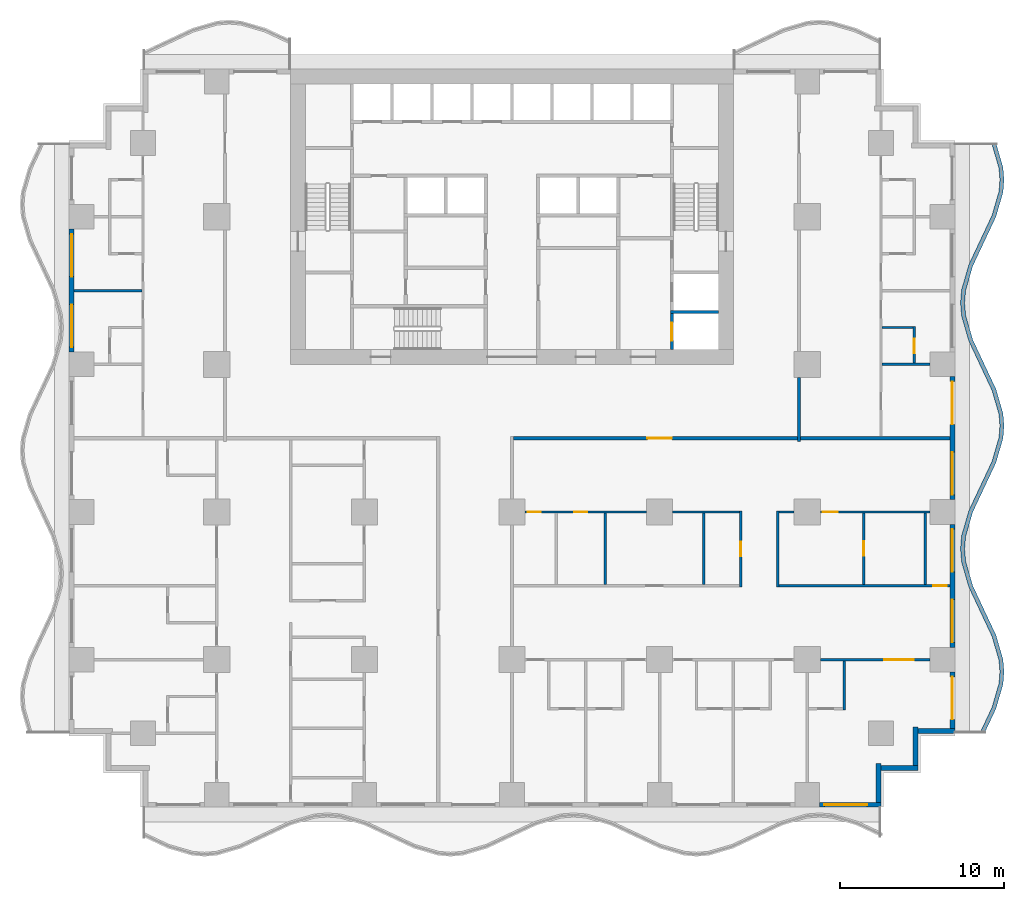
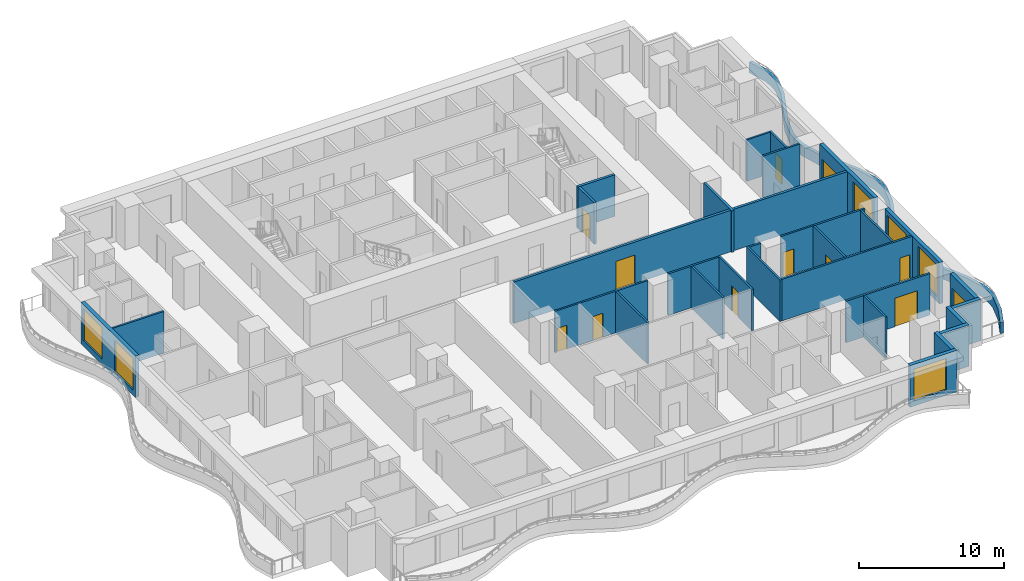
# One storey, part 4 of 14: 32 walls, 12 doors, 6 windows, 18 openings.
"""IFC4 building model written with IfcOpenShell, lengths in metres."""

from ifc_helpers import new_model, si_unit, direction, frame, frame_2d, origin, place, context, subcontext, project, spatial, polyline, rectangle, outline, extrude, material, layer, layer_set, type_object, element, fill, save


model = new_model("IFC4")

# Units and contexts
model_context = context("Model", 3, precision=1e-05, world=origin(), true_north=direction((0.0, 1.0)))
body_context = subcontext(model_context, "Body", "Model", "MODEL_VIEW")
ifc_project = project(units=[si_unit("LENGTHUNIT", "METRE"), si_unit("AREAUNIT", "SQUARE_METRE"), si_unit("VOLUMEUNIT", "CUBIC_METRE"), si_unit("PLANEANGLEUNIT", "RADIAN"), si_unit("MASSUNIT", "GRAM", prefix="KILO")], contexts=[model_context])

# Site, building, storey
site_placement = place(None, origin())
site = spatial("IfcSite", under=ifc_project, at=site_placement, CompositionType="ELEMENT")
building_placement = place(site_placement, origin())
building = spatial("IfcBuilding", under=site, at=building_placement, Name="Orbiselva Terraces", CompositionType="ELEMENT")
storey_placement = place(building_placement, frame((0.0, 0.0, 15.0)))
storey = spatial("IfcBuildingStorey", under=building, at=storey_placement, Name="L03", CompositionType="ELEMENT", Elevation=15.0)

# Wall, opening, door
ifc_material_1 = material(Name="Concrete C60/75", Category="concrete")
ifc_layer_1 = layer(ifc_material_1, 0.2)
ifc_layer_set_1 = layer_set([ifc_layer_1], Name="Concrete C60/75")
wall_type_1 = type_object("IfcWallType", Name="CORE-WALL-SHEAR-200", PredefinedType="SHEAR", material=ifc_layer_set_1)
wall_1_placement = place(storey_placement, frame((9.75, 5.4, 0.0), z_axis=(0.0, 0.0, 1.0), x_axis=(0.0, 1.0, 0.0)))
wall_1 = element("IfcWall", 1, at=wall_1_placement, inside=storey, type_object=wall_type_1, Name="L03 core wall 44", PredefinedType="SHEAR", context=body_context, shape_type="SweptSolid", body=[
    extrude(rectangle(XDim=2.2, YDim=0.2, at=frame_2d((1.1, 0.0))), origin(), (0.0, 0.0, 1.0), 3.5),
])
opening_1_placement = place(wall_1_placement, frame((0.55, 0.0, 0.0)))
opening_1 = element("IfcOpeningElement", 2, at=opening_1_placement, cuts=wall_1, Name="Opening LD-FF1", PredefinedType="OPENING", context=body_context, shape_type="SweptSolid", body=[
    extrude(rectangle(XDim=1.1, YDim=2.1, at=frame_2d((0.55, 1.05))), frame((0.0, 0.11, 0.0), z_axis=(0.0, -1.0, 0.0), x_axis=(1.0, 0.0, 0.0)), (0.0, 0.0, 1.0), 0.22),
])
ifc_material_2 = material(Name="Stainless steel landing door", Category="steel")
door_type_1 = type_object("IfcDoorType", Name="LANDING DOOR 1100", OperationType="SLIDING_TO_LEFT", PredefinedType="DOOR", material=ifc_material_2)
door_1_placement = place(opening_1_placement, origin())
door_1 = element("IfcDoor", 3, at=door_1_placement, inside=storey, type_object=door_type_1, Name="L03 landing door FF1", OperationType="SLIDING_TO_RIGHT", OverallHeight=2.1, OverallWidth=1.1, PredefinedType="DOOR", context=body_context, shape_type="SweptSolid", body=[
    extrude(rectangle(XDim=1.1, YDim=2.1, at=frame_2d((0.55, 1.05))), frame((0.0, 0.025, 0.0), z_axis=(0.0, -1.0, 0.0), x_axis=(1.0, 0.0, 0.0)), (0.0, 0.0, 1.0), 0.05),
])
fill(opening_1, door_1)

# Walls
wall_2_placement = place(storey_placement, frame((9.65, 7.7, 0.0), z_axis=(0.0, 0.0, 1.0), x_axis=(1.0, 0.0, 0.0)))
element("IfcWall", 4, at=wall_2_placement, inside=storey, type_object=wall_type_1, Name="L03 core wall 45", PredefinedType="SHEAR", context=body_context, shape_type="SweptSolid", body=[
    extrude(rectangle(XDim=2.95, YDim=0.2, at=frame_2d((1.475, 0.0))), origin(), (0.0, 0.0, 1.0), 3.5),
])
ifc_material_3 = material(Name="Concrete C40/50", Category="concrete")
ifc_layer_2 = layer(ifc_material_3, 0.25)
ifc_layer_set_2 = layer_set([ifc_layer_2], Name="Concrete C40/50")
wall_type_2 = type_object("IfcWallType", Name="ENV-PLANTER-250x900", PredefinedType="USERDEFINED", material=ifc_layer_set_2)
wall_3_placement = place(storey_placement, origin())
element("IfcWall", 5, at=wall_3_placement, inside=storey, type_object=wall_type_2, Name="Balcony planter L03 E", ObjectType="PLANTER", PredefinedType="USERDEFINED", context=body_context, shape_type="SweptSolid", body=[
    extrude(outline(polyline([(28.8, -18.0), (29.505342, -16.5), (29.941268, -15.0), (30.0, -14.25), (29.941268, -13.5), (29.505342, -12.0), (28.8, -10.5), (28.094658, -9.0), (27.658732, -7.5), (27.6, -6.75), (27.658732, -6.0), (28.094658, -4.5), (28.8, -3.0), (29.505342, -1.5), (29.941268, 0.0), (30.0, 0.75), (29.941268, 1.5), (29.505342, 3.0), (28.8, 4.5), (28.094658, 6.0), (27.658732, 7.5), (27.6, 8.25), (27.658732, 9.0), (28.094658, 10.5), (28.8, 12.0), (29.505342, 13.5), (29.941268, 15.0), (30.0, 15.75), (29.941268, 16.5), (29.505342, 18.0), (29.265274, 17.930232), (29.694035, 16.454886), (29.749235, 15.75), (29.694035, 15.045114), (29.270753, 13.588618), (28.573764, 12.106383), (27.860069, 10.588618), (27.411499, 9.045114), (27.349235, 8.25), (27.411499, 7.454886), (27.860069, 5.911382), (28.573764, 4.393617), (29.270753, 2.911382), (29.694035, 1.454886), (29.749235, 0.75), (29.694035, 0.045114), (29.270753, -1.411382), (28.573764, -2.893617), (27.860069, -4.411382), (27.411499, -5.954886), (27.349235, -6.75), (27.411499, -7.545114), (27.860069, -9.088618), (28.573764, -10.606383), (29.270753, -12.088618), (29.694035, -13.545114), (29.749235, -14.25), (29.694035, -14.954886), (29.270753, -16.411382), (28.573764, -17.893617), (28.8, -18.0)])), origin(), (0.0, 0.0, 1.0), 0.9),
])

# Wall, opening, window
ifc_material_4 = material(Name="Terracotta cladding on masonry backing", Category="masonry")
ifc_layer_3 = layer(ifc_material_4, 0.3)
ifc_layer_set_3 = layer_set([ifc_layer_3], Name="Terracotta cladding on masonry backing")
wall_type_3 = type_object("IfcWallType", Name="ENV-WALL-TERRACOTTA-300", PredefinedType="SOLIDWALL", material=ifc_layer_set_3)
wall_4_placement = place(storey_placement, frame((22.5, -22.35, 0.0), z_axis=(0.0, 0.0, 1.0), x_axis=(-1.0, 0.0, 0.0)))
wall_4 = element("IfcWall", 6, at=wall_4_placement, inside=storey, type_object=wall_type_3, Name="Facade wall L03 S", PredefinedType="SOLIDWALL", context=body_context, shape_type="SweptSolid", body=[
    extrude(rectangle(XDim=3.75, YDim=0.3, at=frame_2d((1.875, 0.0))), origin(), (0.0, 0.0, 1.0), 3.5),
])
opening_2_placement = place(wall_4_placement, frame((0.85, 0.0, 0.45)))
opening_2 = element("IfcOpeningElement", 7, at=opening_2_placement, cuts=wall_4, Name="Opening WN1", PredefinedType="OPENING", context=body_context, shape_type="SweptSolid", body=[
    extrude(rectangle(XDim=2.6, YDim=2.65, at=frame_2d((1.3, 1.325))), frame((0.0, 0.16, 0.0), z_axis=(0.0, -1.0, 0.0), x_axis=(1.0, 0.0, 0.0)), (0.0, 0.0, 1.0), 0.32),
])
ifc_material_5 = material(Name="Clear low-e glazing in aluminium frame", Category="aluminium")
window_type = type_object("IfcWindowType", Name="WINDOW 2600 X 2650 S450", PartitioningType="TRIPLE_PANEL_VERTICAL", PredefinedType="WINDOW", material=ifc_material_5)
window_1_placement = place(opening_2_placement, origin())
window_1 = element("IfcWindow", 8, at=window_1_placement, inside=storey, type_object=window_type, Name="Window L03 S", OverallHeight=2.65, OverallWidth=2.6, PartitioningType="SINGLE_PANEL", PredefinedType="WINDOW", context=body_context, shape_type="SweptSolid", body=[
    extrude(rectangle(XDim=2.6, YDim=2.65, at=frame_2d((1.3, 1.325))), frame((0.0, 0.03, 0.0), z_axis=(0.0, -1.0, 0.0), x_axis=(1.0, 0.0, 0.0)), (0.0, 0.0, 1.0), 0.06),
])
fill(opening_2, window_1)

# Walls
wall_5_placement = place(storey_placement, frame((22.35, -19.85, 0.0), z_axis=(0.0, 0.0, 1.0), x_axis=(0.0, -1.0, 0.0)))
element("IfcWall", 9, at=wall_5_placement, inside=storey, type_object=wall_type_3, Name="Facade wall L03 STEP", PredefinedType="SOLIDWALL", context=body_context, shape_type="SweptSolid", body=[
    extrude(rectangle(XDim=2.35, YDim=0.3, at=frame_2d((1.175, 0.0))), origin(), (0.0, 0.0, 1.0), 3.5),
])
wall_6_placement = place(storey_placement, frame((24.75, -20.1, 0.0), z_axis=(0.0, 0.0, 1.0), x_axis=(-1.0, 0.0, 0.0)))
element("IfcWall", 10, at=wall_6_placement, inside=storey, type_object=wall_type_3, Name="Facade wall L03 STEP", PredefinedType="SOLIDWALL", context=body_context, shape_type="SweptSolid", body=[
    extrude(rectangle(XDim=2.25, YDim=0.3, at=frame_2d((1.125, 0.0))), origin(), (0.0, 0.0, 1.0), 3.5),
])
wall_7_placement = place(storey_placement, frame((24.6, -17.6, 0.0), z_axis=(0.0, 0.0, 1.0), x_axis=(0.0, -1.0, 0.0)))
element("IfcWall", 11, at=wall_7_placement, inside=storey, type_object=wall_type_3, Name="Facade wall L03 STEP", PredefinedType="SOLIDWALL", context=body_context, shape_type="SweptSolid", body=[
    extrude(rectangle(XDim=2.35, YDim=0.3, at=frame_2d((1.175, 0.0))), origin(), (0.0, 0.0, 1.0), 3.5),
])
wall_8_placement = place(storey_placement, frame((27.0, -17.85, 0.0), z_axis=(0.0, 0.0, 1.0), x_axis=(-1.0, 0.0, 0.0)))
element("IfcWall", 12, at=wall_8_placement, inside=storey, type_object=wall_type_3, Name="Facade wall L03 STEP", PredefinedType="SOLIDWALL", context=body_context, shape_type="SweptSolid", body=[
    extrude(rectangle(XDim=2.25, YDim=0.3, at=frame_2d((1.125, 0.0))), origin(), (0.0, 0.0, 1.0), 3.5),
])

# Wall, opening, door
wall_9_placement = place(storey_placement, frame((26.85, -14.25, 0.0), z_axis=(0.0, 0.0, 1.0), x_axis=(0.0, -1.0, 0.0)))
wall_9 = element("IfcWall", 13, at=wall_9_placement, inside=storey, type_object=wall_type_3, Name="Facade wall L03 E", PredefinedType="SOLIDWALL", context=body_context, shape_type="SweptSolid", body=[
    extrude(rectangle(XDim=3.45, YDim=0.3, at=frame_2d((1.725, 0.0))), origin(), (0.0, 0.0, 1.0), 3.5),
])
opening_3_placement = place(wall_9_placement, frame((0.3, 0.0, 0.0)))
opening_3 = element("IfcOpeningElement", 14, at=opening_3_placement, cuts=wall_9, Name="Opening Z1-A-E04", PredefinedType="OPENING", context=body_context, shape_type="SweptSolid", body=[
    extrude(rectangle(XDim=2.6, YDim=2.4, at=frame_2d((1.3, 1.2))), frame((0.0, 0.16, 0.0), z_axis=(0.0, -1.0, 0.0), x_axis=(1.0, 0.0, 0.0)), (0.0, 0.0, 1.0), 0.32),
])
door_type_2 = type_object("IfcDoorType", Name="BALCONY DOOR 2600 X 2400", OperationType="DOUBLE_DOOR_SLIDING", PredefinedType="DOOR", material=ifc_material_5)
door_2_placement = place(opening_3_placement, origin())
door_2 = element("IfcDoor", 15, at=door_2_placement, inside=storey, type_object=door_type_2, Name="Z1-A-E04", OperationType="SINGLE_SWING_LEFT", OverallHeight=2.4, OverallWidth=2.6, PredefinedType="DOOR", context=body_context, shape_type="SweptSolid", body=[
    extrude(rectangle(XDim=2.6, YDim=2.4, at=frame_2d((1.3, 1.2))), frame((0.0, 0.025, 0.0), z_axis=(0.0, -1.0, 0.0), x_axis=(1.0, 0.0, 0.0)), (0.0, 0.0, 1.0), 0.05),
])
fill(opening_3, door_2)

# Wall, openings, windows
wall_10_placement = place(storey_placement, frame((26.85, -5.25, 0.0), z_axis=(0.0, 0.0, 1.0), x_axis=(0.0, -1.0, 0.0)))
wall_10 = element("IfcWall", 16, at=wall_10_placement, inside=storey, type_object=wall_type_3, Name="Facade wall L03 E", PredefinedType="SOLIDWALL", context=body_context, shape_type="SweptSolid", body=[
    extrude(rectangle(XDim=7.5, YDim=0.3, at=frame_2d((3.75, 0.0))), origin(), (0.0, 0.0, 1.0), 3.5),
])
opening_4_placement = place(wall_10_placement, frame((4.6, 0.0, 0.45)))
opening_4 = element("IfcOpeningElement", 17, at=opening_4_placement, cuts=wall_10, Name="Opening WN1", PredefinedType="OPENING", context=body_context, shape_type="SweptSolid", body=[
    extrude(rectangle(XDim=2.6, YDim=2.65, at=frame_2d((1.3, 1.325))), frame((0.0, 0.16, 0.0), z_axis=(0.0, -1.0, 0.0), x_axis=(1.0, 0.0, 0.0)), (0.0, 0.0, 1.0), 0.32),
])
opening_5_placement = place(wall_10_placement, frame((0.3, 0.0, 0.45)))
opening_5 = element("IfcOpeningElement", 18, at=opening_5_placement, cuts=wall_10, Name="Opening WN1", PredefinedType="OPENING", context=body_context, shape_type="SweptSolid", body=[
    extrude(rectangle(XDim=2.6, YDim=2.65, at=frame_2d((1.3, 1.325))), frame((0.0, 0.16, 0.0), z_axis=(0.0, -1.0, 0.0), x_axis=(1.0, 0.0, 0.0)), (0.0, 0.0, 1.0), 0.32),
])
window_2_placement = place(opening_4_placement, origin())
window_2 = element("IfcWindow", 19, at=window_2_placement, inside=storey, type_object=window_type, Name="Window L03 E", OverallHeight=2.65, OverallWidth=2.6, PartitioningType="SINGLE_PANEL", PredefinedType="WINDOW", context=body_context, shape_type="SweptSolid", body=[
    extrude(rectangle(XDim=2.6, YDim=2.65, at=frame_2d((1.3, 1.325))), frame((0.0, 0.03, 0.0), z_axis=(0.0, -1.0, 0.0), x_axis=(1.0, 0.0, 0.0)), (0.0, 0.0, 1.0), 0.06),
])
fill(opening_4, window_2)
window_3_placement = place(opening_5_placement, origin())
window_3 = element("IfcWindow", 20, at=window_3_placement, inside=storey, type_object=window_type, Name="Window L03 E", OverallHeight=2.65, OverallWidth=2.6, PartitioningType="SINGLE_PANEL", PredefinedType="WINDOW", context=body_context, shape_type="SweptSolid", body=[
    extrude(rectangle(XDim=2.6, YDim=2.65, at=frame_2d((1.3, 1.325))), frame((0.0, 0.03, 0.0), z_axis=(0.0, -1.0, 0.0), x_axis=(1.0, 0.0, 0.0)), (0.0, 0.0, 1.0), 0.06),
])
fill(opening_5, window_3)

# Wall, openings, door, window
wall_11_placement = place(storey_placement, frame((26.85, 3.75, 0.0), z_axis=(0.0, 0.0, 1.0), x_axis=(0.0, -1.0, 0.0)))
wall_11 = element("IfcWall", 21, at=wall_11_placement, inside=storey, type_object=wall_type_3, Name="Facade wall L03 E", PredefinedType="SOLIDWALL", context=body_context, shape_type="SweptSolid", body=[
    extrude(rectangle(XDim=7.5, YDim=0.3, at=frame_2d((3.75, 0.0))), origin(), (0.0, 0.0, 1.0), 3.5),
])
opening_6_placement = place(wall_11_placement, frame((4.6, 0.0, 0.45)))
opening_6 = element("IfcOpeningElement", 22, at=opening_6_placement, cuts=wall_11, Name="Opening WN1", PredefinedType="OPENING", context=body_context, shape_type="SweptSolid", body=[
    extrude(rectangle(XDim=2.6, YDim=2.65, at=frame_2d((1.3, 1.325))), frame((0.0, 0.16, 0.0), z_axis=(0.0, -1.0, 0.0), x_axis=(1.0, 0.0, 0.0)), (0.0, 0.0, 1.0), 0.32),
])
opening_7_placement = place(wall_11_placement, frame((0.3, 0.0, 0.0)))
opening_7 = element("IfcOpeningElement", 23, at=opening_7_placement, cuts=wall_11, Name="Opening Z1-A-E05", PredefinedType="OPENING", context=body_context, shape_type="SweptSolid", body=[
    extrude(rectangle(XDim=2.6, YDim=2.4, at=frame_2d((1.3, 1.2))), frame((0.0, 0.16, 0.0), z_axis=(0.0, -1.0, 0.0), x_axis=(1.0, 0.0, 0.0)), (0.0, 0.0, 1.0), 0.32),
])
door_3_placement = place(opening_7_placement, origin())
door_3 = element("IfcDoor", 24, at=door_3_placement, inside=storey, type_object=door_type_2, Name="Z1-A-E05", OperationType="SINGLE_SWING_LEFT", OverallHeight=2.4, OverallWidth=2.6, PredefinedType="DOOR", context=body_context, shape_type="SweptSolid", body=[
    extrude(rectangle(XDim=2.6, YDim=2.4, at=frame_2d((1.3, 1.2))), frame((0.0, 0.025, 0.0), z_axis=(0.0, -1.0, 0.0), x_axis=(1.0, 0.0, 0.0)), (0.0, 0.0, 1.0), 0.05),
])
fill(opening_7, door_3)
window_4_placement = place(opening_6_placement, origin())
window_4 = element("IfcWindow", 25, at=window_4_placement, inside=storey, type_object=window_type, Name="Window L03 E", OverallHeight=2.65, OverallWidth=2.6, PartitioningType="SINGLE_PANEL", PredefinedType="WINDOW", context=body_context, shape_type="SweptSolid", body=[
    extrude(rectangle(XDim=2.6, YDim=2.65, at=frame_2d((1.3, 1.325))), frame((0.0, 0.03, 0.0), z_axis=(0.0, -1.0, 0.0), x_axis=(1.0, 0.0, 0.0)), (0.0, 0.0, 1.0), 0.06),
])
fill(opening_6, window_4)

# Wall, openings, windows
wall_12_placement = place(storey_placement, frame((-26.85, 5.25, 0.0), z_axis=(0.0, 0.0, 1.0), x_axis=(0.0, 1.0, 0.0)))
wall_12 = element("IfcWall", 26, at=wall_12_placement, inside=storey, type_object=wall_type_3, Name="Facade wall L03 W", PredefinedType="SOLIDWALL", context=body_context, shape_type="SweptSolid", body=[
    extrude(rectangle(XDim=7.5, YDim=0.3, at=frame_2d((3.75, 0.0))), origin(), (0.0, 0.0, 1.0), 3.5),
])
opening_8_placement = place(wall_12_placement, frame((4.6, 0.0, 0.45)))
opening_8 = element("IfcOpeningElement", 27, at=opening_8_placement, cuts=wall_12, Name="Opening WN1", PredefinedType="OPENING", context=body_context, shape_type="SweptSolid", body=[
    extrude(rectangle(XDim=2.6, YDim=2.65, at=frame_2d((1.3, 1.325))), frame((0.0, 0.16, 0.0), z_axis=(0.0, -1.0, 0.0), x_axis=(1.0, 0.0, 0.0)), (0.0, 0.0, 1.0), 0.32),
])
opening_9_placement = place(wall_12_placement, frame((0.3, 0.0, 0.45)))
opening_9 = element("IfcOpeningElement", 28, at=opening_9_placement, cuts=wall_12, Name="Opening WN1", PredefinedType="OPENING", context=body_context, shape_type="SweptSolid", body=[
    extrude(rectangle(XDim=2.6, YDim=2.65, at=frame_2d((1.3, 1.325))), frame((0.0, 0.16, 0.0), z_axis=(0.0, -1.0, 0.0), x_axis=(1.0, 0.0, 0.0)), (0.0, 0.0, 1.0), 0.32),
])
window_5_placement = place(opening_8_placement, origin())
window_5 = element("IfcWindow", 29, at=window_5_placement, inside=storey, type_object=window_type, Name="Window L03 W", OverallHeight=2.65, OverallWidth=2.6, PartitioningType="SINGLE_PANEL", PredefinedType="WINDOW", context=body_context, shape_type="SweptSolid", body=[
    extrude(rectangle(XDim=2.6, YDim=2.65, at=frame_2d((1.3, 1.325))), frame((0.0, 0.03, 0.0), z_axis=(0.0, -1.0, 0.0), x_axis=(1.0, 0.0, 0.0)), (0.0, 0.0, 1.0), 0.06),
])
fill(opening_8, window_5)
window_6_placement = place(opening_9_placement, origin())
window_6 = element("IfcWindow", 30, at=window_6_placement, inside=storey, type_object=window_type, Name="Window L03 W", OverallHeight=2.65, OverallWidth=2.6, PartitioningType="SINGLE_PANEL", PredefinedType="WINDOW", context=body_context, shape_type="SweptSolid", body=[
    extrude(rectangle(XDim=2.6, YDim=2.65, at=frame_2d((1.3, 1.325))), frame((0.0, 0.03, 0.0), z_axis=(0.0, -1.0, 0.0), x_axis=(1.0, 0.0, 0.0)), (0.0, 0.0, 1.0), 0.06),
])
fill(opening_9, window_6)

# Wall, opening, door
ifc_material_6 = material(Name="Plasterboard on steel stud partition", Category="steel")
ifc_layer_4 = layer(ifc_material_6, 0.2)
ifc_layer_set_4 = layer_set([ifc_layer_4], Name="Plasterboard on steel stud partition")
wall_type_4 = type_object("IfcWallType", Name="UNIT-ENTRANCE-WALL-200", PredefinedType="PARTITIONING", material=ifc_layer_set_4)
wall_13_placement = place(storey_placement, frame((17.4, 0.0, 0.0), z_axis=(0.0, 0.0, 1.0), x_axis=(-1.0, 0.0, 0.0)))
wall_13 = element("IfcWall", 31, at=wall_13_placement, inside=storey, type_object=wall_type_4, Name="PARTITION L03-030", PredefinedType="PARTITIONING", context=body_context, shape_type="SweptSolid", body=[
    extrude(rectangle(XDim=17.3, YDim=0.2, at=frame_2d((8.65, 0.0))), origin(), (0.0, 0.0, 1.0), 3.5),
])
opening_10_placement = place(wall_13_placement, frame((7.65, 0.0, 0.0)))
opening_10 = element("IfcOpeningElement", 32, at=opening_10_placement, cuts=wall_13, Name="Opening Z1-A-32", PredefinedType="OPENING", context=body_context, shape_type="SweptSolid", body=[
    extrude(rectangle(XDim=1.5, YDim=2.4, at=frame_2d((0.75, 1.2))), frame((0.0, 0.11, 0.0), z_axis=(0.0, -1.0, 0.0), x_axis=(1.0, 0.0, 0.0)), (0.0, 0.0, 1.0), 0.22),
])
ifc_material_7 = material(Name="Painted timber door leaf", Category="wood")
door_type_3 = type_object("IfcDoorType", Name="ENTRANCE DOUBLE DOOR 1500", OperationType="NOTDEFINED", PredefinedType="DOOR", material=ifc_material_7)
door_4_placement = place(opening_10_placement, origin())
door_4 = element("IfcDoor", 33, at=door_4_placement, inside=storey, type_object=door_type_3, Name="Z1-A-32", OperationType="DOUBLE_DOOR_SINGLE_SWING", OverallHeight=2.4, OverallWidth=1.5, PredefinedType="DOOR", context=body_context, shape_type="SweptSolid", body=[
    extrude(rectangle(XDim=1.5, YDim=2.4, at=frame_2d((0.75, 1.2))), frame((0.0, 0.025, 0.0), z_axis=(0.0, -1.0, 0.0), x_axis=(1.0, 0.0, 0.0)), (0.0, 0.0, 1.0), 0.05),
])
fill(opening_10, door_4)

# Wall
wall_14_placement = place(storey_placement, frame((17.5, -0.2, 0.0), z_axis=(0.0, 0.0, 1.0), x_axis=(0.0, 1.0, 0.0)))
element("IfcWall", 34, at=wall_14_placement, inside=storey, type_object=wall_type_4, Name="PARTITION L03-082", PredefinedType="PARTITIONING", context=body_context, shape_type="SweptSolid", body=[
    extrude(rectangle(XDim=3.9, YDim=0.2, at=frame_2d((1.95, 0.0))), origin(), (0.0, 0.0, 1.0), 3.5),
])

# Wall, opening, door
ifc_layer_5 = layer(ifc_material_6, 0.15)
ifc_layer_set_5 = layer_set([ifc_layer_5], Name="Plasterboard on steel stud partition")
wall_type_5 = type_object("IfcWallType", Name="UNIT-PARTITION-150", PredefinedType="PARTITIONING", material=ifc_layer_set_5)
wall_15_placement = place(storey_placement, frame((25.5, -13.5, 0.0), z_axis=(0.0, 0.0, 1.0), x_axis=(-1.0, 0.0, 0.0)))
wall_15 = element("IfcWall", 35, at=wall_15_placement, inside=storey, type_object=wall_type_5, Name="PARTITION L03-015", PredefinedType="PARTITIONING", context=body_context, shape_type="SweptSolid", body=[
    extrude(rectangle(XDim=6.7, YDim=0.15, at=frame_2d((3.35, 0.0))), origin(), (0.0, 0.0, 1.0), 3.5),
])
opening_11_placement = place(wall_15_placement, frame((1.0, 0.0, 0.0)))
opening_11 = element("IfcOpeningElement", 36, at=opening_11_placement, cuts=wall_15, Name="Opening Z1-A-48", PredefinedType="OPENING", context=body_context, shape_type="SweptSolid", body=[
    extrude(rectangle(XDim=1.8, YDim=2.4, at=frame_2d((0.9, 1.2))), frame((0.0, 0.085, 0.0), z_axis=(0.0, -1.0, 0.0), x_axis=(1.0, 0.0, 0.0)), (0.0, 0.0, 1.0), 0.17),
])
door_type_4 = type_object("IfcDoorType", Name="DOUBLE DOOR 1800", OperationType="NOTDEFINED", PredefinedType="DOOR", material=ifc_material_7)
door_5_placement = place(opening_11_placement, origin())
door_5 = element("IfcDoor", 37, at=door_5_placement, inside=storey, type_object=door_type_4, Name="Z1-A-48", OperationType="DOUBLE_DOOR_SINGLE_SWING", OverallHeight=2.4, OverallWidth=1.8, PredefinedType="DOOR", context=body_context, shape_type="SweptSolid", body=[
    extrude(rectangle(XDim=1.8, YDim=2.4, at=frame_2d((0.9, 1.2))), frame((0.0, 0.025, 0.0), z_axis=(0.0, -1.0, 0.0), x_axis=(1.0, 0.0, 0.0)), (0.0, 0.0, 1.0), 0.05),
])
fill(opening_11, door_5)

wall_16_placement = place(storey_placement, frame((16.275, -9.0, 0.0), z_axis=(0.0, 0.0, 1.0), x_axis=(1.0, 0.0, 0.0)))
wall_16 = element("IfcWall", 38, at=wall_16_placement, inside=storey, type_object=wall_type_5, Name="PARTITION L03-021", PredefinedType="PARTITIONING", context=body_context, shape_type="SweptSolid", body=[
    extrude(rectangle(XDim=10.425, YDim=0.15, at=frame_2d((5.2125, 0.0))), origin(), (0.0, 0.0, 1.0), 3.5),
])
opening_12_placement = place(wall_16_placement, frame((9.425, 0.0, 0.0)))
opening_12 = element("IfcOpeningElement", 39, at=opening_12_placement, cuts=wall_16, Name="Opening Z1-A-39", PredefinedType="OPENING", context=body_context, shape_type="SweptSolid", body=[
    extrude(rectangle(XDim=0.8, YDim=2.0, at=frame_2d((0.4, 1.0))), frame((0.0, 0.085, 0.0), z_axis=(0.0, -1.0, 0.0), x_axis=(1.0, 0.0, 0.0)), (0.0, 0.0, 1.0), 0.17),
])
door_type_5 = type_object("IfcDoorType", Name="STORE DOOR 800", OperationType="NOTDEFINED", PredefinedType="DOOR", material=ifc_material_7)
door_6_placement = place(opening_12_placement, origin())
door_6 = element("IfcDoor", 40, at=door_6_placement, inside=storey, type_object=door_type_5, Name="Z1-A-39", OperationType="SINGLE_SWING_RIGHT", OverallHeight=2.0, OverallWidth=0.8, PredefinedType="DOOR", context=body_context, shape_type="SweptSolid", body=[
    extrude(rectangle(XDim=0.8, YDim=2.0, at=frame_2d((0.4, 1.0))), frame((0.0, 0.025, 0.0), z_axis=(0.0, -1.0, 0.0), x_axis=(1.0, 0.0, 0.0)), (0.0, 0.0, 1.0), 0.05),
])
fill(opening_12, door_6)

# Wall, openings, doors
wall_17_placement = place(storey_placement, frame((8.2, -4.5, 0.0), z_axis=(0.0, 0.0, 1.0), x_axis=(-1.0, 0.0, 0.0)))
wall_17 = element("IfcWall", 41, at=wall_17_placement, inside=storey, type_object=wall_type_5, Name="PARTITION L03-023", PredefinedType="PARTITIONING", context=body_context, shape_type="SweptSolid", body=[
    extrude(rectangle(XDim=7.4, YDim=0.15, at=frame_2d((3.7, 0.0))), origin(), (0.0, 0.0, 1.0), 3.5),
])
opening_13_placement = place(wall_17_placement, frame((6.45, 0.0, 0.0)))
opening_13 = element("IfcOpeningElement", 42, at=opening_13_placement, cuts=wall_17, Name="Opening Z1-A-33", PredefinedType="OPENING", context=body_context, shape_type="SweptSolid", body=[
    extrude(rectangle(XDim=0.8, YDim=2.0, at=frame_2d((0.4, 1.0))), frame((0.0, 0.085, 0.0), z_axis=(0.0, -1.0, 0.0), x_axis=(1.0, 0.0, 0.0)), (0.0, 0.0, 1.0), 0.17),
])
opening_14_placement = place(wall_17_placement, frame((3.6, 0.0, 0.0)))
opening_14 = element("IfcOpeningElement", 43, at=opening_14_placement, cuts=wall_17, Name="Opening Z1-A-34", PredefinedType="OPENING", context=body_context, shape_type="SweptSolid", body=[
    extrude(rectangle(XDim=0.8, YDim=2.0, at=frame_2d((0.4, 1.0))), frame((0.0, 0.085, 0.0), z_axis=(0.0, -1.0, 0.0), x_axis=(1.0, 0.0, 0.0)), (0.0, 0.0, 1.0), 0.17),
])
door_7_placement = place(opening_13_placement, origin())
door_7 = element("IfcDoor", 44, at=door_7_placement, inside=storey, type_object=door_type_5, Name="Z1-A-33", OperationType="SINGLE_SWING_RIGHT", OverallHeight=2.0, OverallWidth=0.8, PredefinedType="DOOR", context=body_context, shape_type="SweptSolid", body=[
    extrude(rectangle(XDim=0.8, YDim=2.0, at=frame_2d((0.4, 1.0))), frame((0.0, 0.025, 0.0), z_axis=(0.0, -1.0, 0.0), x_axis=(1.0, 0.0, 0.0)), (0.0, 0.0, 1.0), 0.05),
])
fill(opening_13, door_7)
door_8_placement = place(opening_14_placement, origin())
door_8 = element("IfcDoor", 45, at=door_8_placement, inside=storey, type_object=door_type_5, Name="Z1-A-34", OperationType="SINGLE_SWING_RIGHT", OverallHeight=2.0, OverallWidth=0.8, PredefinedType="DOOR", context=body_context, shape_type="SweptSolid", body=[
    extrude(rectangle(XDim=0.8, YDim=2.0, at=frame_2d((0.4, 1.0))), frame((0.0, 0.025, 0.0), z_axis=(0.0, -1.0, 0.0), x_axis=(1.0, 0.0, 0.0)), (0.0, 0.0, 1.0), 0.05),
])
fill(opening_14, door_8)

# Walls
wall_18_placement = place(storey_placement, frame((9.8, -4.5, 0.0), z_axis=(0.0, 0.0, 1.0), x_axis=(1.0, 0.0, 0.0)))
element("IfcWall", 46, at=wall_18_placement, inside=storey, type_object=wall_type_5, Name="PARTITION L03-024", PredefinedType="PARTITIONING", context=body_context, shape_type="SweptSolid", body=[
    extrude(rectangle(XDim=4.075, YDim=0.15, at=frame_2d((2.0375, 0.0))), origin(), (0.0, 0.0, 1.0), 3.5),
])
wall_19_placement = place(storey_placement, frame((16.275, -4.5, 0.0), z_axis=(0.0, 0.0, 1.0), x_axis=(1.0, 0.0, 0.0)))
element("IfcWall", 47, at=wall_19_placement, inside=storey, type_object=wall_type_5, Name="PARTITION L03-025", PredefinedType="PARTITIONING", context=body_context, shape_type="SweptSolid", body=[
    extrude(rectangle(XDim=0.925, YDim=0.15, at=frame_2d((0.4625, 0.0))), origin(), (0.0, 0.0, 1.0), 3.5),
])

# Wall, opening, door
wall_20_placement = place(storey_placement, frame((25.5, -4.5, 0.0), z_axis=(0.0, 0.0, 1.0), x_axis=(-1.0, 0.0, 0.0)))
wall_20 = element("IfcWall", 48, at=wall_20_placement, inside=storey, type_object=wall_type_5, Name="PARTITION L03-026", PredefinedType="PARTITIONING", context=body_context, shape_type="SweptSolid", body=[
    extrude(rectangle(XDim=6.7, YDim=0.15, at=frame_2d((3.35, 0.0))), origin(), (0.0, 0.0, 1.0), 3.5),
])
opening_15_placement = place(wall_20_placement, frame((5.65, 0.0, 0.0)))
opening_15 = element("IfcOpeningElement", 49, at=opening_15_placement, cuts=wall_20, Name="Opening Z1-A-37", PredefinedType="OPENING", context=body_context, shape_type="SweptSolid", body=[
    extrude(rectangle(XDim=0.9, YDim=2.1, at=frame_2d((0.45, 1.05))), frame((0.0, 0.085, 0.0), z_axis=(0.0, -1.0, 0.0), x_axis=(1.0, 0.0, 0.0)), (0.0, 0.0, 1.0), 0.17),
])
door_type_6 = type_object("IfcDoorType", Name="SERVICE DOOR 900", OperationType="NOTDEFINED", PredefinedType="DOOR", material=ifc_material_7)
door_9_placement = place(opening_15_placement, origin())
door_9 = element("IfcDoor", 50, at=door_9_placement, inside=storey, type_object=door_type_6, Name="Z1-A-37", OperationType="SINGLE_SWING_RIGHT", OverallHeight=2.1, OverallWidth=0.9, PredefinedType="DOOR", context=body_context, shape_type="SweptSolid", body=[
    extrude(rectangle(XDim=0.9, YDim=2.1, at=frame_2d((0.45, 1.05))), frame((0.0, 0.025, 0.0), z_axis=(0.0, -1.0, 0.0), x_axis=(1.0, 0.0, 0.0)), (0.0, 0.0, 1.0), 0.05),
])
fill(opening_15, door_9)

# Walls
wall_21_placement = place(storey_placement, frame((22.575, 4.5, 0.0), z_axis=(0.0, 0.0, 1.0), x_axis=(1.0, 0.0, 0.0)))
element("IfcWall", 51, at=wall_21_placement, inside=storey, type_object=wall_type_5, Name="PARTITION L03-034", PredefinedType="PARTITIONING", context=body_context, shape_type="SweptSolid", body=[
    extrude(rectangle(XDim=2.925, YDim=0.15, at=frame_2d((1.4625, 0.0))), origin(), (0.0, 0.0, 1.0), 3.5),
])
wall_22_placement = place(storey_placement, frame((22.575, 6.75, 0.0), z_axis=(0.0, 0.0, 1.0), x_axis=(1.0, 0.0, 0.0)))
element("IfcWall", 52, at=wall_22_placement, inside=storey, type_object=wall_type_5, Name="PARTITION L03-036", PredefinedType="PARTITIONING", context=body_context, shape_type="SweptSolid", body=[
    extrude(rectangle(XDim=1.875, YDim=0.15, at=frame_2d((0.9375, 0.0))), origin(), (0.0, 0.0, 1.0), 3.5),
])
wall_23_placement = place(storey_placement, frame((-26.7, 9.0, 0.0), z_axis=(0.0, 0.0, 1.0), x_axis=(1.0, 0.0, 0.0)))
element("IfcWall", 53, at=wall_23_placement, inside=storey, type_object=wall_type_5, Name="PARTITION L03-037", PredefinedType="PARTITIONING", context=body_context, shape_type="SweptSolid", body=[
    extrude(rectangle(XDim=4.125, YDim=0.15, at=frame_2d((2.0625, 0.0))), origin(), (0.0, 0.0, 1.0), 3.5),
])
for number, where, z_axis, x_axis, name in (
    (54, (5.7, -8.925, 0.0), (0.0, 0.0, 1.0), (0.0, 1.0, 0.0), "PARTITION L03-073"),
    (55, (11.7, -8.925, 0.0), (0.0, 0.0, 1.0), (0.0, 1.0, 0.0), "PARTITION L03-077"),
):
    element("IfcWall", number, at=place(storey_placement, frame(where, z_axis=z_axis, x_axis=x_axis)), inside=storey, type_object=wall_type_5, Name=name, PredefinedType="PARTITIONING", context=body_context, shape_type="SweptSolid", body=[
        extrude(rectangle(XDim=4.35, YDim=0.15, at=frame_2d((2.175, 0.0))), origin(), (0.0, 0.0, 1.0), 3.5),
    ])

# Wall, opening, door
wall_24_placement = place(storey_placement, frame((13.95, -9.075, 0.0), z_axis=(0.0, 0.0, 1.0), x_axis=(0.0, 1.0, 0.0)))
wall_24 = element("IfcWall", 56, at=wall_24_placement, inside=storey, type_object=wall_type_5, Name="PARTITION L03-079", PredefinedType="PARTITIONING", context=body_context, shape_type="SweptSolid", body=[
    extrude(rectangle(XDim=4.65, YDim=0.15, at=frame_2d((2.325, 0.0))), origin(), (0.0, 0.0, 1.0), 3.5),
])
opening_16_placement = place(wall_24_placement, frame((1.875, 0.0, 0.0)))
opening_16 = element("IfcOpeningElement", 57, at=opening_16_placement, cuts=wall_24, Name="Opening Z1-A-36", PredefinedType="OPENING", context=body_context, shape_type="SweptSolid", body=[
    extrude(rectangle(XDim=0.9, YDim=2.1, at=frame_2d((0.45, 1.05))), frame((0.0, 0.085, 0.0), z_axis=(0.0, -1.0, 0.0), x_axis=(1.0, 0.0, 0.0)), (0.0, 0.0, 1.0), 0.17),
])
door_type_7 = type_object("IfcDoorType", Name="BATH DOOR 900", OperationType="NOTDEFINED", PredefinedType="DOOR", material=ifc_material_7)
door_10_placement = place(opening_16_placement, origin())
door_10 = element("IfcDoor", 58, at=door_10_placement, inside=storey, type_object=door_type_7, Name="Z1-A-36", OperationType="SINGLE_SWING_LEFT", OverallHeight=2.1, OverallWidth=0.9, PredefinedType="DOOR", context=body_context, shape_type="SweptSolid", body=[
    extrude(rectangle(XDim=0.9, YDim=2.1, at=frame_2d((0.45, 1.05))), frame((0.0, 0.025, 0.0), z_axis=(0.0, -1.0, 0.0), x_axis=(1.0, 0.0, 0.0)), (0.0, 0.0, 1.0), 0.05),
])
fill(opening_16, door_10)

# Walls
wall_25_placement = place(storey_placement, frame((16.2, -9.075, 0.0), z_axis=(0.0, 0.0, 1.0), x_axis=(0.0, 1.0, 0.0)))
element("IfcWall", 59, at=wall_25_placement, inside=storey, type_object=wall_type_5, Name="PARTITION L03-081", PredefinedType="PARTITIONING", context=body_context, shape_type="SweptSolid", body=[
    extrude(rectangle(XDim=4.65, YDim=0.15, at=frame_2d((2.325, 0.0))), origin(), (0.0, 0.0, 1.0), 3.5),
])
wall_26_placement = place(storey_placement, frame((20.25, -16.575, 0.0), z_axis=(0.0, 0.0, 1.0), x_axis=(0.0, 1.0, 0.0)))
element("IfcWall", 60, at=wall_26_placement, inside=storey, type_object=wall_type_5, Name="PARTITION L03-086", PredefinedType="PARTITIONING", context=body_context, shape_type="SweptSolid", body=[
    extrude(rectangle(XDim=3.0, YDim=0.15, at=frame_2d((1.5, 0.0))), origin(), (0.0, 0.0, 1.0), 3.5),
])

# Wall, opening, door
wall_27_placement = place(storey_placement, frame((21.45, -4.575, 0.0), z_axis=(0.0, 0.0, 1.0), x_axis=(0.0, -1.0, 0.0)))
wall_27 = element("IfcWall", 61, at=wall_27_placement, inside=storey, type_object=wall_type_5, Name="PARTITION L03-087", PredefinedType="PARTITIONING", context=body_context, shape_type="SweptSolid", body=[
    extrude(rectangle(XDim=4.35, YDim=0.15, at=frame_2d((2.175, 0.0))), origin(), (0.0, 0.0, 1.0), 3.5),
])
opening_17_placement = place(wall_27_placement, frame((1.7, 0.0, 0.0)))
opening_17 = element("IfcOpeningElement", 62, at=opening_17_placement, cuts=wall_27, Name="Opening Z1-A-38", PredefinedType="OPENING", context=body_context, shape_type="SweptSolid", body=[
    extrude(rectangle(XDim=0.9, YDim=2.1, at=frame_2d((0.45, 1.05))), frame((0.0, 0.085, 0.0), z_axis=(0.0, -1.0, 0.0), x_axis=(1.0, 0.0, 0.0)), (0.0, 0.0, 1.0), 0.17),
])
door_11_placement = place(opening_17_placement, origin())
door_11 = element("IfcDoor", 63, at=door_11_placement, inside=storey, type_object=door_type_7, Name="Z1-A-38", OperationType="SINGLE_SWING_LEFT", OverallHeight=2.1, OverallWidth=0.9, PredefinedType="DOOR", context=body_context, shape_type="SweptSolid", body=[
    extrude(rectangle(XDim=0.9, YDim=2.1, at=frame_2d((0.45, 1.05))), frame((0.0, 0.025, 0.0), z_axis=(0.0, -1.0, 0.0), x_axis=(1.0, 0.0, 0.0)), (0.0, 0.0, 1.0), 0.05),
])
fill(opening_17, door_11)

wall_28_placement = place(storey_placement, frame((24.525, 4.575, 0.0), z_axis=(0.0, 0.0, 1.0), x_axis=(0.0, 1.0, 0.0)))
wall_28 = element("IfcWall", 64, at=wall_28_placement, inside=storey, type_object=wall_type_5, Name="PARTITION L03-090", PredefinedType="PARTITIONING", context=body_context, shape_type="SweptSolid", body=[
    extrude(rectangle(XDim=2.25, YDim=0.15, at=frame_2d((1.125, 0.0))), origin(), (0.0, 0.0, 1.0), 3.5),
])
opening_18_placement = place(wall_28_placement, frame((0.6, 0.0, 0.0)))
opening_18 = element("IfcOpeningElement", 65, at=opening_18_placement, cuts=wall_28, Name="Opening Z1-A-12", PredefinedType="OPENING", context=body_context, shape_type="SweptSolid", body=[
    extrude(rectangle(XDim=0.9, YDim=2.1, at=frame_2d((0.45, 1.05))), frame((0.0, 0.085, 0.0), z_axis=(0.0, -1.0, 0.0), x_axis=(1.0, 0.0, 0.0)), (0.0, 0.0, 1.0), 0.17),
])
door_12_placement = place(opening_18_placement, origin())
door_12 = element("IfcDoor", 66, at=door_12_placement, inside=storey, type_object=door_type_7, Name="Z1-A-12", OperationType="SINGLE_SWING_LEFT", OverallHeight=2.1, OverallWidth=0.9, PredefinedType="DOOR", context=body_context, shape_type="SweptSolid", body=[
    extrude(rectangle(XDim=0.9, YDim=2.1, at=frame_2d((0.45, 1.05))), frame((0.0, 0.025, 0.0), z_axis=(0.0, -1.0, 0.0), x_axis=(1.0, 0.0, 0.0)), (0.0, 0.0, 1.0), 0.05),
])
fill(opening_18, door_12)

# Walls
wall_29_placement = place(storey_placement, frame((25.2, -8.925, 0.0), z_axis=(0.0, 0.0, 1.0), x_axis=(0.0, 1.0, 0.0)))
element("IfcWall", 67, at=wall_29_placement, inside=storey, type_object=wall_type_5, Name="PARTITION L03-092", PredefinedType="PARTITIONING", context=body_context, shape_type="SweptSolid", body=[
    extrude(rectangle(XDim=4.35, YDim=0.15, at=frame_2d((2.175, 0.0))), origin(), (0.0, 0.0, 1.0), 3.5),
])
ifc_layer_6 = layer(ifc_material_6, 0.2)
ifc_layer_set_6 = layer_set([ifc_layer_6], Name="Plasterboard on steel stud partition")
wall_type_6 = type_object("IfcWallType", Name="UNIT-PARTY-WALL-200", PredefinedType="PARTITIONING", material=ifc_layer_set_6)
wall_30_placement = place(storey_placement, frame((17.6, 0.0, 0.0), z_axis=(0.0, 0.0, 1.0), x_axis=(1.0, 0.0, 0.0)))
element("IfcWall", 68, at=wall_30_placement, inside=storey, type_object=wall_type_6, Name="PARTITION L03-032", PredefinedType="PARTITIONING", context=body_context, shape_type="SweptSolid", body=[
    extrude(rectangle(XDim=9.1, YDim=0.2, at=frame_2d((4.55, 0.0))), origin(), (0.0, 0.0, 1.0), 3.5),
])

save(model, "model.ifc")
